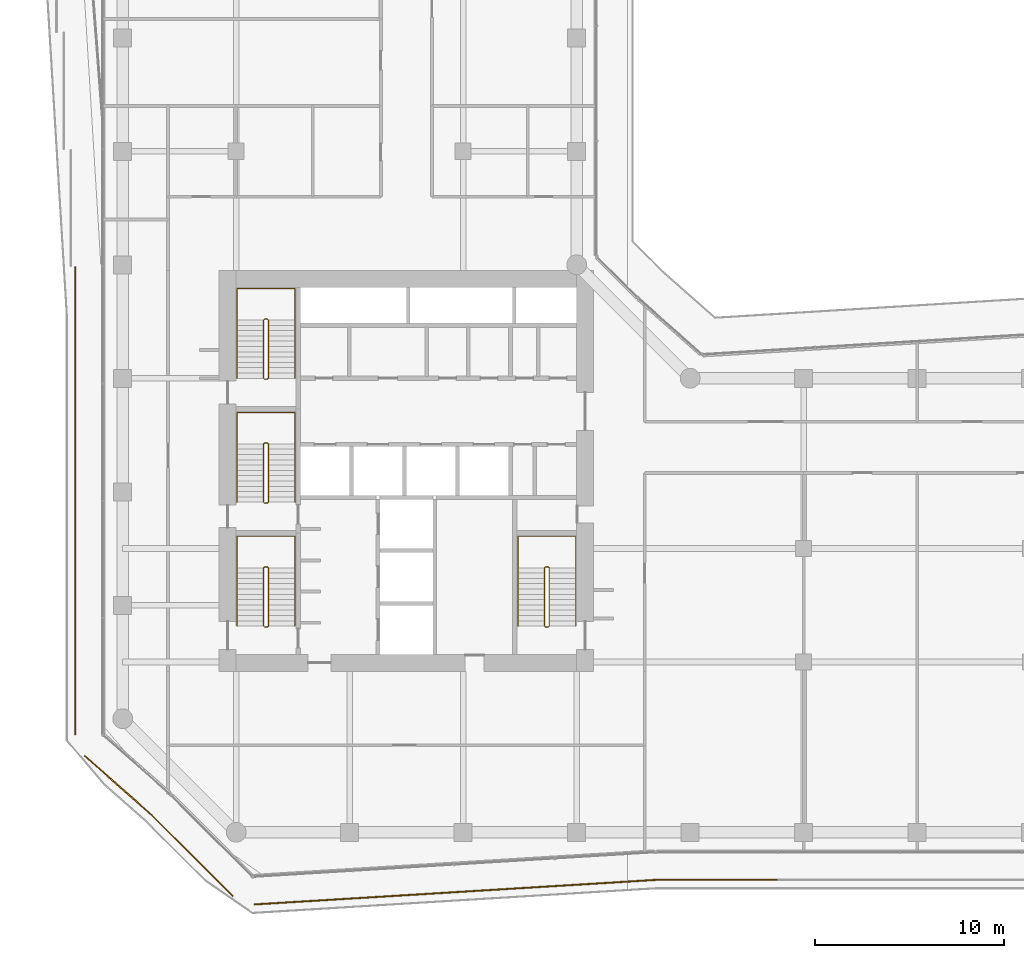
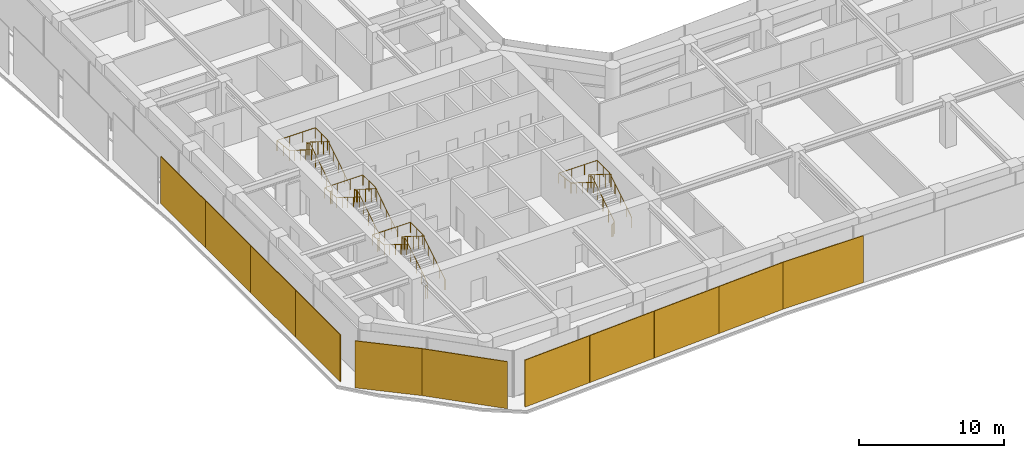
# One storey, part 28 of 29: 11 coverings, 8 railings.
"""IFC4 building model written with IfcOpenShell, lengths in metres."""

from ifc_helpers import new_model, si_unit, direction, frame, origin, origin_2d, place, context, subcontext, project, spatial, rectangle, circle, extrude, material, layer, layer_set, type_object, element, save


model = new_model("IFC4")

# Units and contexts
model_context = context("Model", 3, precision=1e-05, world=origin(), true_north=direction((0.0, 1.0)))
body_context = subcontext(model_context, "Body", "Model", "MODEL_VIEW")
ifc_project = project(units=[si_unit("LENGTHUNIT", "METRE"), si_unit("AREAUNIT", "SQUARE_METRE"), si_unit("VOLUMEUNIT", "CUBIC_METRE"), si_unit("PLANEANGLEUNIT", "RADIAN"), si_unit("MASSUNIT", "GRAM", prefix="KILO")], contexts=[model_context])

# Site, building, storey
site_placement = place(None, origin())
site = spatial("IfcSite", under=ifc_project, at=site_placement, CompositionType="ELEMENT")
building_placement = place(site_placement, origin())
building = spatial("IfcBuilding", under=site, at=building_placement, Name="Welwitschia Terrace Campus", CompositionType="ELEMENT")
storey_placement = place(building_placement, frame((0.0, 0.0, 66.800048828125)))
storey = spatial("IfcBuildingStorey", under=building, at=storey_placement, Name="L15", CompositionType="ELEMENT", Elevation=66.800048828125)

# Coverings
ifc_material_1 = material(Name="Bronze mesh aluminium screen", Category="aluminium")
ifc_layer = layer(ifc_material_1, 0.06005859375)
ifc_layer_set = layer_set([ifc_layer], Name="Bronze mesh aluminium screen")
covering_type = type_object("IfcCoveringType", Name="Bronze screen 60", PredefinedType="USERDEFINED", material=ifc_layer_set)
covering_1_placement = place(storey_placement, frame((-0.2333984375, -1.52734375, 0.0), z_axis=(0.0, 0.0, 1.0), x_axis=(0.748955720789, -0.662620048216, 0.0)))
element("IfcCovering", 1, at=covering_1_placement, inside=storey, type_object=covering_type, Name="Screen L15.0.0", ObjectType="SCREEN", PredefinedType="USERDEFINED", context=body_context, shape_type="SweptSolid", body=[
    extrude(rectangle(XDim=4.761962890625, YDim=0.06005859375, at=origin_2d()), origin(), (0.0, 0.0, 1.0), 3.949951171875),
])
covering_2_placement = place(storey_placement, frame((3.6630859375, -5.22119140625, 0.0), z_axis=(0.0, 0.0, 1.0), x_axis=(0.707106781187, -0.707106781187, 0.0)))
element("IfcCovering", 2, at=covering_2_placement, inside=storey, type_object=covering_type, Name="Screen L15.1.0", ObjectType="SCREEN", PredefinedType="USERDEFINED", context=body_context, shape_type="SweptSolid", body=[
    extrude(rectangle(XDim=6.119384765625, YDim=0.06005859375, at=origin_2d()), origin(), (0.0, 0.0, 1.0), 3.949951171875),
])
for number, where, z_axis, x_axis, name in (
    (3, (9.6162109375, -7.6533203125, 0.0), (0.0, 0.0, 1.0), (0.998134798422, 0.061048539535, 0.0), "Screen L15.2.0"),
    (4, (14.941162109375, -7.327392578125, 0.0), (0.0, 0.0, 1.0), (0.998134798422, 0.061048539535, 0.0), "Screen L15.2.1"),
    (5, (20.266357421875, -7.001708984375, 0.0), (0.0, 0.0, 1.0), (0.998134798422, 0.061048539535, 0.0), "Screen L15.2.2"),
    (6, (25.591552734375, -6.676025390625, 0.0), (0.0, 0.0, 1.0), (0.998134798422, 0.061048539535, 0.0), "Screen L15.2.3"),
):
    element("IfcCovering", number, at=place(storey_placement, frame(where, z_axis=z_axis, x_axis=x_axis)), inside=storey, type_object=covering_type, Name=name, ObjectType="SCREEN", PredefinedType="USERDEFINED", context=body_context, shape_type="SweptSolid", body=[
        extrude(rectangle(XDim=5.315185546875, YDim=0.06005859375, at=origin_2d()), origin(), (0.0, 0.0, 1.0), 3.949951171875),
    ])
covering_3_placement = place(storey_placement, frame((31.392333984375, -6.51611328125, 0.0), z_axis=(0.0, 0.0, 1.0), x_axis=(1.0, 0.0, 0.0)))
element("IfcCovering", 7, at=covering_3_placement, inside=storey, type_object=covering_type, Name="Screen L15.3.0", ObjectType="SCREEN", PredefinedType="USERDEFINED", context=body_context, shape_type="SweptSolid", body=[
    extrude(rectangle(XDim=6.4345703125, YDim=0.06005859375, at=origin_2d()), origin(), (0.0, 0.0, 1.0), 3.949951171875),
])
for number, where, z_axis, x_axis, name in (
    (8, (-2.51611328125, 22.817138671875, 0.0), (0.0, 0.0, 1.0), (0.0, -1.0, 0.0), "Screen L15.12.6"),
    (9, (-2.51611328125, 16.626220703125, 0.0), (0.0, 0.0, 1.0), (0.0, -1.0, 0.0), "Screen L15.12.7"),
    (10, (-2.51611328125, 10.435302734375, 0.0), (0.0, 0.0, 1.0), (0.0, -1.0, 0.0), "Screen L15.12.8"),
    (11, (-2.51611328125, 4.244384765625, 0.0), (0.0, 0.0, 1.0), (0.0, -1.0, 0.0), "Screen L15.12.9"),
):
    element("IfcCovering", number, at=place(storey_placement, frame(where, z_axis=z_axis, x_axis=x_axis)), inside=storey, type_object=covering_type, Name=name, ObjectType="SCREEN", PredefinedType="USERDEFINED", context=body_context, shape_type="SweptSolid", body=[
        extrude(rectangle(XDim=6.1708984375, YDim=0.06005859375, at=origin_2d()), origin(), (0.0, 0.0, 1.0), 3.949951171875),
    ])

# Railings
ifc_material_2 = material(Name="Steel S355", Category="steel")
railing_type_1 = type_object("IfcRailingType", Name="Stair guard 1100", PredefinedType="GUARDRAIL", material=ifc_material_2)
railing_1_placement = place(storey_placement, frame((7.5, 6.85009765625, 0.0)))
element("IfcRailing", 12, at=railing_1_placement, inside=storey, type_object=railing_type_1, Name="L15 S1 stair guard", PredefinedType="GUARDRAIL", context=body_context, shape_type="SweptSolid", body=[
    extrude(circle(Radius=0.02392578125, at=origin_2d()), frame((0.0, 0.0, 1.076171875), z_axis=(1.0, 0.0, 0.0), x_axis=(0.0, 1.0, 0.0)), (0.0, 0.0, 1.0), 0.14990234375),
    extrude(circle(Radius=0.02392578125, at=origin_2d()), frame((0.14990234375, 0.0, 1.076171875), z_axis=(0.265155923931, 0.263862480399, 0.927399011991), x_axis=(-0.705375805398, 0.708833529934, 0.0)), (0.0, 0.0, 1.0), 0.188720703125),
    extrude(circle(Radius=0.02392578125, at=origin_2d()), frame((0.199951171875, 0.0498046875, 1.2509765625), z_axis=(0.0, 0.848028513186, 0.529950602248), x_axis=(-1.0, 0.0, 0.0)), (0.0, 0.0, 1.0), 3.632080078125),
    extrude(circle(Radius=0.02392578125, at=origin_2d()), frame((0.199951171875, 3.1298828125, 3.17578125), z_axis=(-0.707106781187, 0.707106781187, 0.0), x_axis=(-0.707106781187, -0.707106781187, 0.0)), (0.0, 0.0, 1.0), 0.07080078125),
    extrude(circle(Radius=0.02392578125, at=origin_2d()), frame((0.14990234375, 3.179931640625, 3.17578125), z_axis=(-1.0, 0.0, 0.0), x_axis=(0.0, -1.0, 0.0)), (0.0, 0.0, 1.0), 0.14990234375),
    extrude(circle(Radius=0.02392578125, at=origin_2d()), frame((0.0, 3.179931640625, 3.17578125), z_axis=(-0.265065253269, -0.265065253269, 0.927081885822), x_axis=(0.707106781187, -0.707106781187, 0.0)), (0.0, 0.0, 1.0), 0.188720703125),
    extrude(circle(Radius=0.02392578125, at=origin_2d()), frame((-0.050048828125, 3.1298828125, 3.35107421875), z_axis=(0.0, -0.847998304005, 0.529998940003), x_axis=(1.0, 0.0, 0.0)), (0.0, 0.0, 1.0), 3.632080078125),
    extrude(circle(Radius=0.02099609375, at=origin_2d()), origin(), (0.0, 0.0, 1.0), 1.052001953125),
    extrude(circle(Radius=0.02099609375, at=origin_2d()), frame((0.14990234375, 0.0, 0.0)), (0.0, 0.0, 1.0), 1.052001953125),
    extrude(circle(Radius=0.02099609375, at=origin_2d()), frame((0.199951171875, 0.0498046875, 0.175048828125)), (0.0, 0.0, 1.0), 1.052001953125),
    extrude(circle(Radius=0.02099609375, at=origin_2d()), frame((0.199951171875, 0.81982421875, 0.65625)), (0.0, 0.0, 1.0), 1.052001953125),
    extrude(circle(Radius=0.02099609375, at=origin_2d()), frame((0.199951171875, 1.58984375, 1.137451171875)), (0.0, 0.0, 1.0), 1.052001953125),
    extrude(circle(Radius=0.02099609375, at=origin_2d()), frame((0.199951171875, 2.35986328125, 1.61865234375)), (0.0, 0.0, 1.0), 1.052001953125),
    extrude(circle(Radius=0.02099609375, at=origin_2d()), frame((0.199951171875, 3.1298828125, 2.099853515625)), (0.0, 0.0, 1.0), 1.052001953125),
    extrude(circle(Radius=0.02099609375, at=origin_2d()), frame((0.14990234375, 3.179931640625, 2.099853515625)), (0.0, 0.0, 1.0), 1.052001953125),
    extrude(circle(Radius=0.02099609375, at=origin_2d()), frame((0.0, 3.179931640625, 2.099853515625)), (0.0, 0.0, 1.0), 1.052001953125),
    extrude(circle(Radius=0.02099609375, at=origin_2d()), frame((-0.050048828125, 3.1298828125, 2.27490234375)), (0.0, 0.0, 1.0), 1.052001953125),
    extrude(circle(Radius=0.02099609375, at=origin_2d()), frame((-0.050048828125, 2.35986328125, 2.756103515625)), (0.0, 0.0, 1.0), 1.052001953125),
    extrude(circle(Radius=0.02099609375, at=origin_2d()), frame((-0.050048828125, 1.58984375, 3.2373046875)), (0.0, 0.0, 1.0), 1.052001953125),
    extrude(circle(Radius=0.02099609375, at=origin_2d()), frame((-0.050048828125, 0.81982421875, 3.71875)), (0.0, 0.0, 1.0), 1.052001953125),
    extrude(circle(Radius=0.02099609375, at=origin_2d()), frame((-0.050048828125, 0.0498046875, 4.199951171875)), (0.0, 0.0, 1.0), 1.052001953125),
])
railing_2_placement = place(storey_placement, frame((7.5, 13.39990234375, 0.0)))
element("IfcRailing", 13, at=railing_2_placement, inside=storey, type_object=railing_type_1, Name="L15 S3 stair guard", PredefinedType="GUARDRAIL", context=body_context, shape_type="SweptSolid", body=[
    extrude(circle(Radius=0.02392578125, at=origin_2d()), frame((0.0, 0.0, 1.076171875), z_axis=(1.0, 0.0, 0.0), x_axis=(0.0, 1.0, 0.0)), (0.0, 0.0, 1.0), 0.14990234375),
    extrude(circle(Radius=0.02392578125, at=origin_2d()), frame((0.14990234375, 0.0, 1.076171875), z_axis=(0.265065253269, 0.265065253269, 0.927081885822), x_axis=(-0.707106781187, 0.707106781187, 0.0)), (0.0, 0.0, 1.0), 0.188720703125),
    extrude(circle(Radius=0.02392578125, at=origin_2d()), frame((0.199951171875, 0.050048828125, 1.2509765625), z_axis=(0.0, 0.848028513186, 0.529950602248), x_axis=(-1.0, 0.0, 0.0)), (0.0, 0.0, 1.0), 3.632080078125),
    extrude(circle(Radius=0.02392578125, at=origin_2d()), frame((0.199951171875, 3.130126953125, 3.17578125), z_axis=(-0.707106781187, 0.707106781187, 0.0), x_axis=(-0.707106781187, -0.707106781187, 0.0)), (0.0, 0.0, 1.0), 0.07080078125),
    extrude(circle(Radius=0.02392578125, at=origin_2d()), frame((0.14990234375, 3.18017578125, 3.17578125), z_axis=(-1.0, 0.0, 0.0), x_axis=(0.0, -1.0, 0.0)), (0.0, 0.0, 1.0), 0.14990234375),
    extrude(circle(Radius=0.02392578125, at=origin_2d()), frame((0.0, 3.18017578125, 3.17578125), z_axis=(-0.265065253269, -0.265065253269, 0.927081885822), x_axis=(0.707106781187, -0.707106781187, 0.0)), (0.0, 0.0, 1.0), 0.188720703125),
    extrude(circle(Radius=0.02392578125, at=origin_2d()), frame((-0.050048828125, 3.130126953125, 3.35107421875), z_axis=(0.0, -0.847998304005, 0.529998940003), x_axis=(1.0, 0.0, 0.0)), (0.0, 0.0, 1.0), 3.632080078125),
    extrude(circle(Radius=0.02099609375, at=origin_2d()), origin(), (0.0, 0.0, 1.0), 1.052001953125),
    extrude(circle(Radius=0.02099609375, at=origin_2d()), frame((0.14990234375, 0.0, 0.0)), (0.0, 0.0, 1.0), 1.052001953125),
    extrude(circle(Radius=0.02099609375, at=origin_2d()), frame((0.199951171875, 0.050048828125, 0.175048828125)), (0.0, 0.0, 1.0), 1.052001953125),
    extrude(circle(Radius=0.02099609375, at=origin_2d()), frame((0.199951171875, 0.820068359375, 0.65625)), (0.0, 0.0, 1.0), 1.052001953125),
    extrude(circle(Radius=0.02099609375, at=origin_2d()), frame((0.199951171875, 1.590087890625, 1.137451171875)), (0.0, 0.0, 1.0), 1.052001953125),
    extrude(circle(Radius=0.02099609375, at=origin_2d()), frame((0.199951171875, 2.360107421875, 1.61865234375)), (0.0, 0.0, 1.0), 1.052001953125),
    extrude(circle(Radius=0.02099609375, at=origin_2d()), frame((0.199951171875, 3.130126953125, 2.099853515625)), (0.0, 0.0, 1.0), 1.052001953125),
    extrude(circle(Radius=0.02099609375, at=origin_2d()), frame((0.14990234375, 3.18017578125, 2.099853515625)), (0.0, 0.0, 1.0), 1.052001953125),
    extrude(circle(Radius=0.02099609375, at=origin_2d()), frame((0.0, 3.18017578125, 2.099853515625)), (0.0, 0.0, 1.0), 1.052001953125),
    extrude(circle(Radius=0.02099609375, at=origin_2d()), frame((-0.050048828125, 3.130126953125, 2.27490234375)), (0.0, 0.0, 1.0), 1.052001953125),
    extrude(circle(Radius=0.02099609375, at=origin_2d()), frame((-0.050048828125, 2.360107421875, 2.756103515625)), (0.0, 0.0, 1.0), 1.052001953125),
    extrude(circle(Radius=0.02099609375, at=origin_2d()), frame((-0.050048828125, 1.590087890625, 3.2373046875)), (0.0, 0.0, 1.0), 1.052001953125),
    extrude(circle(Radius=0.02099609375, at=origin_2d()), frame((-0.050048828125, 0.820068359375, 3.71875)), (0.0, 0.0, 1.0), 1.052001953125),
    extrude(circle(Radius=0.02099609375, at=origin_2d()), frame((-0.050048828125, 0.050048828125, 4.199951171875)), (0.0, 0.0, 1.0), 1.052001953125),
])
railing_3_placement = place(storey_placement, frame((7.5, 19.949951171875, 0.0)))
element("IfcRailing", 14, at=railing_3_placement, inside=storey, type_object=railing_type_1, Name="L15 S4 stair guard", PredefinedType="GUARDRAIL", context=body_context, shape_type="SweptSolid", body=[
    extrude(circle(Radius=0.02392578125, at=origin_2d()), frame((0.0, 0.0, 1.076171875), z_axis=(1.0, 0.0, 0.0), x_axis=(0.0, 1.0, 0.0)), (0.0, 0.0, 1.0), 0.14990234375),
    extrude(circle(Radius=0.02392578125, at=origin_2d()), frame((0.14990234375, 0.0, 1.076171875), z_axis=(0.265065253269, 0.265065253269, 0.927081885822), x_axis=(-0.707106781187, 0.707106781187, 0.0)), (0.0, 0.0, 1.0), 0.188720703125),
    extrude(circle(Radius=0.02392578125, at=origin_2d()), frame((0.199951171875, 0.050048828125, 1.2509765625), z_axis=(0.0, 0.848028513186, 0.529950602248), x_axis=(-1.0, 0.0, 0.0)), (0.0, 0.0, 1.0), 3.632080078125),
    extrude(circle(Radius=0.02392578125, at=origin_2d()), frame((0.199951171875, 3.130126953125, 3.17578125), z_axis=(-0.708833529934, 0.705375805398, 0.0), x_axis=(-0.705375805398, -0.708833529934, 0.0)), (0.0, 0.0, 1.0), 0.070556640625),
    extrude(circle(Radius=0.02392578125, at=origin_2d()), frame((0.14990234375, 3.179931640625, 3.17578125), z_axis=(-1.0, 0.0, 0.0), x_axis=(0.0, -1.0, 0.0)), (0.0, 0.0, 1.0), 0.14990234375),
    extrude(circle(Radius=0.02392578125, at=origin_2d()), frame((0.0, 3.179931640625, 3.17578125), z_axis=(-0.265155923931, -0.263862480399, 0.927399011991), x_axis=(0.705375805398, -0.708833529934, 0.0)), (0.0, 0.0, 1.0), 0.188720703125),
    extrude(circle(Radius=0.02392578125, at=origin_2d()), frame((-0.050048828125, 3.130126953125, 3.35107421875), z_axis=(0.0, -0.847998304005, 0.529998940003), x_axis=(1.0, 0.0, 0.0)), (0.0, 0.0, 1.0), 3.632080078125),
    extrude(circle(Radius=0.02099609375, at=origin_2d()), origin(), (0.0, 0.0, 1.0), 1.052001953125),
    extrude(circle(Radius=0.02099609375, at=origin_2d()), frame((0.14990234375, 0.0, 0.0)), (0.0, 0.0, 1.0), 1.052001953125),
    extrude(circle(Radius=0.02099609375, at=origin_2d()), frame((0.199951171875, 0.050048828125, 0.175048828125)), (0.0, 0.0, 1.0), 1.052001953125),
    extrude(circle(Radius=0.02099609375, at=origin_2d()), frame((0.199951171875, 0.820068359375, 0.65625)), (0.0, 0.0, 1.0), 1.052001953125),
    extrude(circle(Radius=0.02099609375, at=origin_2d()), frame((0.199951171875, 1.590087890625, 1.137451171875)), (0.0, 0.0, 1.0), 1.052001953125),
    extrude(circle(Radius=0.02099609375, at=origin_2d()), frame((0.199951171875, 2.360107421875, 1.61865234375)), (0.0, 0.0, 1.0), 1.052001953125),
    extrude(circle(Radius=0.02099609375, at=origin_2d()), frame((0.199951171875, 3.130126953125, 2.099853515625)), (0.0, 0.0, 1.0), 1.052001953125),
    extrude(circle(Radius=0.02099609375, at=origin_2d()), frame((0.14990234375, 3.179931640625, 2.099853515625)), (0.0, 0.0, 1.0), 1.052001953125),
    extrude(circle(Radius=0.02099609375, at=origin_2d()), frame((0.0, 3.179931640625, 2.099853515625)), (0.0, 0.0, 1.0), 1.052001953125),
    extrude(circle(Radius=0.02099609375, at=origin_2d()), frame((-0.050048828125, 3.130126953125, 2.27490234375)), (0.0, 0.0, 1.0), 1.052001953125),
    extrude(circle(Radius=0.02099609375, at=origin_2d()), frame((-0.050048828125, 2.360107421875, 2.756103515625)), (0.0, 0.0, 1.0), 1.052001953125),
    extrude(circle(Radius=0.02099609375, at=origin_2d()), frame((-0.050048828125, 1.590087890625, 3.2373046875)), (0.0, 0.0, 1.0), 1.052001953125),
    extrude(circle(Radius=0.02099609375, at=origin_2d()), frame((-0.050048828125, 0.820068359375, 3.71875)), (0.0, 0.0, 1.0), 1.052001953125),
    extrude(circle(Radius=0.02099609375, at=origin_2d()), frame((-0.050048828125, 0.050048828125, 4.199951171875)), (0.0, 0.0, 1.0), 1.052001953125),
])
railing_4_placement = place(storey_placement, frame((22.35009765625, 6.85009765625, 0.0)))
element("IfcRailing", 15, at=railing_4_placement, inside=storey, type_object=railing_type_1, Name="L15 S2 stair guard", PredefinedType="GUARDRAIL", context=body_context, shape_type="SweptSolid", body=[
    extrude(circle(Radius=0.02392578125, at=origin_2d()), frame((0.0, 0.0, 1.076171875), z_axis=(1.0, 0.0, 0.0), x_axis=(0.0, 1.0, 0.0)), (0.0, 0.0, 1.0), 0.14990234375),
    extrude(circle(Radius=0.02392578125, at=origin_2d()), frame((0.14990234375, 0.0, 1.076171875), z_axis=(0.265155923931, 0.263862480399, 0.927399011991), x_axis=(-0.705375805398, 0.708833529934, 0.0)), (0.0, 0.0, 1.0), 0.188720703125),
    extrude(circle(Radius=0.02392578125, at=origin_2d()), frame((0.199951171875, 0.0498046875, 1.2509765625), z_axis=(0.0, 0.848028513186, 0.529950602248), x_axis=(-1.0, 0.0, 0.0)), (0.0, 0.0, 1.0), 3.632080078125),
    extrude(circle(Radius=0.02392578125, at=origin_2d()), frame((0.199951171875, 3.1298828125, 3.17578125), z_axis=(-0.707106781187, 0.707106781187, 0.0), x_axis=(-0.707106781187, -0.707106781187, 0.0)), (0.0, 0.0, 1.0), 0.07080078125),
    extrude(circle(Radius=0.02392578125, at=origin_2d()), frame((0.14990234375, 3.179931640625, 3.17578125), z_axis=(-1.0, 0.0, 0.0), x_axis=(0.0, -1.0, 0.0)), (0.0, 0.0, 1.0), 0.14990234375),
    extrude(circle(Radius=0.02392578125, at=origin_2d()), frame((0.0, 3.179931640625, 3.17578125), z_axis=(-0.265065253269, -0.265065253269, 0.927081885822), x_axis=(0.707106781187, -0.707106781187, 0.0)), (0.0, 0.0, 1.0), 0.188720703125),
    extrude(circle(Radius=0.02392578125, at=origin_2d()), frame((-0.050048828125, 3.1298828125, 3.35107421875), z_axis=(0.0, -0.847998304005, 0.529998940003), x_axis=(1.0, 0.0, 0.0)), (0.0, 0.0, 1.0), 3.632080078125),
    extrude(circle(Radius=0.02099609375, at=origin_2d()), origin(), (0.0, 0.0, 1.0), 1.052001953125),
    extrude(circle(Radius=0.02099609375, at=origin_2d()), frame((0.14990234375, 0.0, 0.0)), (0.0, 0.0, 1.0), 1.052001953125),
    extrude(circle(Radius=0.02099609375, at=origin_2d()), frame((0.199951171875, 0.0498046875, 0.175048828125)), (0.0, 0.0, 1.0), 1.052001953125),
    extrude(circle(Radius=0.02099609375, at=origin_2d()), frame((0.199951171875, 0.81982421875, 0.65625)), (0.0, 0.0, 1.0), 1.052001953125),
    extrude(circle(Radius=0.02099609375, at=origin_2d()), frame((0.199951171875, 1.58984375, 1.137451171875)), (0.0, 0.0, 1.0), 1.052001953125),
    extrude(circle(Radius=0.02099609375, at=origin_2d()), frame((0.199951171875, 2.35986328125, 1.61865234375)), (0.0, 0.0, 1.0), 1.052001953125),
    extrude(circle(Radius=0.02099609375, at=origin_2d()), frame((0.199951171875, 3.1298828125, 2.099853515625)), (0.0, 0.0, 1.0), 1.052001953125),
    extrude(circle(Radius=0.02099609375, at=origin_2d()), frame((0.14990234375, 3.179931640625, 2.099853515625)), (0.0, 0.0, 1.0), 1.052001953125),
    extrude(circle(Radius=0.02099609375, at=origin_2d()), frame((0.0, 3.179931640625, 2.099853515625)), (0.0, 0.0, 1.0), 1.052001953125),
    extrude(circle(Radius=0.02099609375, at=origin_2d()), frame((-0.050048828125, 3.1298828125, 2.27490234375)), (0.0, 0.0, 1.0), 1.052001953125),
    extrude(circle(Radius=0.02099609375, at=origin_2d()), frame((-0.050048828125, 2.35986328125, 2.756103515625)), (0.0, 0.0, 1.0), 1.052001953125),
    extrude(circle(Radius=0.02099609375, at=origin_2d()), frame((-0.050048828125, 1.58984375, 3.2373046875)), (0.0, 0.0, 1.0), 1.052001953125),
    extrude(circle(Radius=0.02099609375, at=origin_2d()), frame((-0.050048828125, 0.81982421875, 3.71875)), (0.0, 0.0, 1.0), 1.052001953125),
    extrude(circle(Radius=0.02099609375, at=origin_2d()), frame((-0.050048828125, 0.0498046875, 4.199951171875)), (0.0, 0.0, 1.0), 1.052001953125),
])
ifc_material_3 = material(Name="Steel S355", Category="steel")
railing_type_2 = type_object("IfcRailingType", Name="Stair handrail 900", PredefinedType="HANDRAIL", material=ifc_material_3)
railing_5_placement = place(storey_placement, frame((9.10009765625, 6.89990234375, 0.175048828125)))
element("IfcRailing", 16, at=railing_5_placement, inside=storey, type_object=railing_type_2, Name="L15 S1 stair handrail", PredefinedType="HANDRAIL", context=body_context, shape_type="SweptSolid", body=[
    extrude(circle(Radius=0.02392578125, at=origin_2d()), frame((0.0, 0.0, 0.8759765625), z_axis=(0.0, 0.848028513186, 0.529950602248), x_axis=(-1.0, 0.0, 0.0)), (0.0, 0.0, 1.0), 3.632080078125),
    extrude(circle(Radius=0.02392578125, at=origin_2d()), frame((0.0, 3.080078125, 2.80078125), z_axis=(0.0, 1.0, 0.0), x_axis=(-1.0, 0.0, 0.0)), (0.0, 0.0, 1.0), 1.669921875),
    extrude(circle(Radius=0.02392578125, at=origin_2d()), frame((0.0, 4.75, 2.80078125), z_axis=(-1.0, 0.0, 0.0), x_axis=(0.0, -1.0, 0.0)), (0.0, 0.0, 1.0), 3.050048828125),
    extrude(circle(Radius=0.02392578125, at=origin_2d()), frame((-3.050048828125, 4.75, 2.80078125), z_axis=(0.0, -0.99455077262, 0.104253348533), x_axis=(1.0, 0.0, 0.0)), (0.0, 0.0, 1.0), 1.678955078125),
    extrude(circle(Radius=0.02392578125, at=origin_2d()), frame((-3.050048828125, 3.080078125, 2.9755859375), z_axis=(0.0, -0.847998304005, 0.529998940003), x_axis=(1.0, 0.0, 0.0)), (0.0, 0.0, 1.0), 3.632080078125),
    extrude(circle(Radius=0.02099609375, at=origin_2d()), origin(), (0.0, 0.0, 1.0), 0.851806640625),
    extrude(circle(Radius=0.02099609375, at=origin_2d()), frame((0.0, 0.77001953125, 0.481201171875)), (0.0, 0.0, 1.0), 0.851806640625),
    extrude(circle(Radius=0.02099609375, at=origin_2d()), frame((0.0, 1.5400390625, 0.96240234375)), (0.0, 0.0, 1.0), 0.851806640625),
    extrude(circle(Radius=0.02099609375, at=origin_2d()), frame((0.0, 2.31005859375, 1.443603515625)), (0.0, 0.0, 1.0), 0.851806640625),
    extrude(circle(Radius=0.02099609375, at=origin_2d()), frame((0.0, 3.080078125, 1.9248046875)), (0.0, 0.0, 1.0), 0.851806640625),
    extrude(circle(Radius=0.02099609375, at=origin_2d()), frame((0.0, 3.9150390625, 1.9248046875)), (0.0, 0.0, 1.0), 0.851806640625),
    extrude(circle(Radius=0.02099609375, at=origin_2d()), frame((0.0, 4.75, 1.9248046875)), (0.0, 0.0, 1.0), 0.851806640625),
    extrude(circle(Radius=0.02099609375, at=origin_2d()), frame((-1.0166015625, 4.75, 1.9248046875)), (0.0, 0.0, 1.0), 0.851806640625),
    extrude(circle(Radius=0.02099609375, at=origin_2d()), frame((-2.033447265625, 4.75, 1.9248046875)), (0.0, 0.0, 1.0), 0.851806640625),
    extrude(circle(Radius=0.02099609375, at=origin_2d()), frame((-3.050048828125, 4.75, 1.9248046875)), (0.0, 0.0, 1.0), 0.851806640625),
    extrude(circle(Radius=0.02099609375, at=origin_2d()), frame((-3.050048828125, 3.9150390625, 2.01220703125)), (0.0, 0.0, 1.0), 0.851806640625),
    extrude(circle(Radius=0.02099609375, at=origin_2d()), frame((-3.050048828125, 3.080078125, 2.099853515625)), (0.0, 0.0, 1.0), 0.851806640625),
    extrude(circle(Radius=0.02099609375, at=origin_2d()), frame((-3.050048828125, 2.31005859375, 2.5810546875)), (0.0, 0.0, 1.0), 0.851806640625),
    extrude(circle(Radius=0.02099609375, at=origin_2d()), frame((-3.050048828125, 1.5400390625, 3.0625)), (0.0, 0.0, 1.0), 0.851806640625),
    extrude(circle(Radius=0.02099609375, at=origin_2d()), frame((-3.050048828125, 0.77001953125, 3.543701171875)), (0.0, 0.0, 1.0), 0.851806640625),
    extrude(circle(Radius=0.02099609375, at=origin_2d()), frame((-3.050048828125, 0.0, 4.02490234375)), (0.0, 0.0, 1.0), 0.851806640625),
])
railing_6_placement = place(storey_placement, frame((9.10009765625, 13.449951171875, 0.175048828125)))
element("IfcRailing", 17, at=railing_6_placement, inside=storey, type_object=railing_type_2, Name="L15 S3 stair handrail", PredefinedType="HANDRAIL", context=body_context, shape_type="SweptSolid", body=[
    extrude(circle(Radius=0.02392578125, at=origin_2d()), frame((0.0, 0.0, 0.8759765625), z_axis=(0.0, 0.848028513186, 0.529950602248), x_axis=(-1.0, 0.0, 0.0)), (0.0, 0.0, 1.0), 3.632080078125),
    extrude(circle(Radius=0.02392578125, at=origin_2d()), frame((0.0, 3.080078125, 2.80078125), z_axis=(0.0, 1.0, 0.0), x_axis=(-1.0, 0.0, 0.0)), (0.0, 0.0, 1.0), 1.669921875),
    extrude(circle(Radius=0.02392578125, at=origin_2d()), frame((0.0, 4.75, 2.80078125), z_axis=(-1.0, 0.0, 0.0), x_axis=(0.0, -1.0, 0.0)), (0.0, 0.0, 1.0), 3.050048828125),
    extrude(circle(Radius=0.02392578125, at=origin_2d()), frame((-3.050048828125, 4.75, 2.80078125), z_axis=(0.0, -0.99455077262, 0.104253348533), x_axis=(1.0, 0.0, 0.0)), (0.0, 0.0, 1.0), 1.678955078125),
    extrude(circle(Radius=0.02392578125, at=origin_2d()), frame((-3.050048828125, 3.080078125, 2.9755859375), z_axis=(0.0, -0.847998304005, 0.529998940003), x_axis=(1.0, 0.0, 0.0)), (0.0, 0.0, 1.0), 3.632080078125),
    extrude(circle(Radius=0.02099609375, at=origin_2d()), origin(), (0.0, 0.0, 1.0), 0.851806640625),
    extrude(circle(Radius=0.02099609375, at=origin_2d()), frame((0.0, 0.77001953125, 0.481201171875)), (0.0, 0.0, 1.0), 0.851806640625),
    extrude(circle(Radius=0.02099609375, at=origin_2d()), frame((0.0, 1.5400390625, 0.96240234375)), (0.0, 0.0, 1.0), 0.851806640625),
    extrude(circle(Radius=0.02099609375, at=origin_2d()), frame((0.0, 2.31005859375, 1.443603515625)), (0.0, 0.0, 1.0), 0.851806640625),
    extrude(circle(Radius=0.02099609375, at=origin_2d()), frame((0.0, 3.080078125, 1.9248046875)), (0.0, 0.0, 1.0), 0.851806640625),
    extrude(circle(Radius=0.02099609375, at=origin_2d()), frame((0.0, 3.9150390625, 1.9248046875)), (0.0, 0.0, 1.0), 0.851806640625),
    extrude(circle(Radius=0.02099609375, at=origin_2d()), frame((0.0, 4.75, 1.9248046875)), (0.0, 0.0, 1.0), 0.851806640625),
    extrude(circle(Radius=0.02099609375, at=origin_2d()), frame((-1.0166015625, 4.75, 1.9248046875)), (0.0, 0.0, 1.0), 0.851806640625),
    extrude(circle(Radius=0.02099609375, at=origin_2d()), frame((-2.033447265625, 4.75, 1.9248046875)), (0.0, 0.0, 1.0), 0.851806640625),
    extrude(circle(Radius=0.02099609375, at=origin_2d()), frame((-3.050048828125, 4.75, 1.9248046875)), (0.0, 0.0, 1.0), 0.851806640625),
    extrude(circle(Radius=0.02099609375, at=origin_2d()), frame((-3.050048828125, 3.9150390625, 2.01220703125)), (0.0, 0.0, 1.0), 0.851806640625),
    extrude(circle(Radius=0.02099609375, at=origin_2d()), frame((-3.050048828125, 3.080078125, 2.099853515625)), (0.0, 0.0, 1.0), 0.851806640625),
    extrude(circle(Radius=0.02099609375, at=origin_2d()), frame((-3.050048828125, 2.31005859375, 2.5810546875)), (0.0, 0.0, 1.0), 0.851806640625),
    extrude(circle(Radius=0.02099609375, at=origin_2d()), frame((-3.050048828125, 1.5400390625, 3.0625)), (0.0, 0.0, 1.0), 0.851806640625),
    extrude(circle(Radius=0.02099609375, at=origin_2d()), frame((-3.050048828125, 0.77001953125, 3.543701171875)), (0.0, 0.0, 1.0), 0.851806640625),
    extrude(circle(Radius=0.02099609375, at=origin_2d()), frame((-3.050048828125, 0.0, 4.02490234375)), (0.0, 0.0, 1.0), 0.851806640625),
])
railing_7_placement = place(storey_placement, frame((9.10009765625, 20.0, 0.175048828125)))
element("IfcRailing", 18, at=railing_7_placement, inside=storey, type_object=railing_type_2, Name="L15 S4 stair handrail", PredefinedType="HANDRAIL", context=body_context, shape_type="SweptSolid", body=[
    extrude(circle(Radius=0.02392578125, at=origin_2d()), frame((0.0, 0.0, 0.8759765625), z_axis=(0.0, 0.848028513186, 0.529950602248), x_axis=(-1.0, 0.0, 0.0)), (0.0, 0.0, 1.0), 3.632080078125),
    extrude(circle(Radius=0.02392578125, at=origin_2d()), frame((0.0, 3.080078125, 2.80078125), z_axis=(0.0, 1.0, 0.0), x_axis=(-1.0, 0.0, 0.0)), (0.0, 0.0, 1.0), 1.669921875),
    extrude(circle(Radius=0.02392578125, at=origin_2d()), frame((0.0, 4.75, 2.80078125), z_axis=(-1.0, 0.0, 0.0), x_axis=(0.0, -1.0, 0.0)), (0.0, 0.0, 1.0), 3.050048828125),
    extrude(circle(Radius=0.02392578125, at=origin_2d()), frame((-3.050048828125, 4.75, 2.80078125), z_axis=(0.0, -0.99455077262, 0.104253348533), x_axis=(1.0, 0.0, 0.0)), (0.0, 0.0, 1.0), 1.678955078125),
    extrude(circle(Radius=0.02392578125, at=origin_2d()), frame((-3.050048828125, 3.080078125, 2.9755859375), z_axis=(0.0, -0.847998304005, 0.529998940003), x_axis=(1.0, 0.0, 0.0)), (0.0, 0.0, 1.0), 3.632080078125),
    extrude(circle(Radius=0.02099609375, at=origin_2d()), origin(), (0.0, 0.0, 1.0), 0.851806640625),
    extrude(circle(Radius=0.02099609375, at=origin_2d()), frame((0.0, 0.77001953125, 0.481201171875)), (0.0, 0.0, 1.0), 0.851806640625),
    extrude(circle(Radius=0.02099609375, at=origin_2d()), frame((0.0, 1.5400390625, 0.96240234375)), (0.0, 0.0, 1.0), 0.851806640625),
    extrude(circle(Radius=0.02099609375, at=origin_2d()), frame((0.0, 2.31005859375, 1.443603515625)), (0.0, 0.0, 1.0), 0.851806640625),
    extrude(circle(Radius=0.02099609375, at=origin_2d()), frame((0.0, 3.080078125, 1.9248046875)), (0.0, 0.0, 1.0), 0.851806640625),
    extrude(circle(Radius=0.02099609375, at=origin_2d()), frame((0.0, 3.9150390625, 1.9248046875)), (0.0, 0.0, 1.0), 0.851806640625),
    extrude(circle(Radius=0.02099609375, at=origin_2d()), frame((0.0, 4.75, 1.9248046875)), (0.0, 0.0, 1.0), 0.851806640625),
    extrude(circle(Radius=0.02099609375, at=origin_2d()), frame((-1.0166015625, 4.75, 1.9248046875)), (0.0, 0.0, 1.0), 0.851806640625),
    extrude(circle(Radius=0.02099609375, at=origin_2d()), frame((-2.033447265625, 4.75, 1.9248046875)), (0.0, 0.0, 1.0), 0.851806640625),
    extrude(circle(Radius=0.02099609375, at=origin_2d()), frame((-3.050048828125, 4.75, 1.9248046875)), (0.0, 0.0, 1.0), 0.851806640625),
    extrude(circle(Radius=0.02099609375, at=origin_2d()), frame((-3.050048828125, 3.9150390625, 2.01220703125)), (0.0, 0.0, 1.0), 0.851806640625),
    extrude(circle(Radius=0.02099609375, at=origin_2d()), frame((-3.050048828125, 3.080078125, 2.099853515625)), (0.0, 0.0, 1.0), 0.851806640625),
    extrude(circle(Radius=0.02099609375, at=origin_2d()), frame((-3.050048828125, 2.31005859375, 2.5810546875)), (0.0, 0.0, 1.0), 0.851806640625),
    extrude(circle(Radius=0.02099609375, at=origin_2d()), frame((-3.050048828125, 1.5400390625, 3.0625)), (0.0, 0.0, 1.0), 0.851806640625),
    extrude(circle(Radius=0.02099609375, at=origin_2d()), frame((-3.050048828125, 0.77001953125, 3.543701171875)), (0.0, 0.0, 1.0), 0.851806640625),
    extrude(circle(Radius=0.02099609375, at=origin_2d()), frame((-3.050048828125, 0.0, 4.02490234375)), (0.0, 0.0, 1.0), 0.851806640625),
])
railing_8_placement = place(storey_placement, frame((23.949951171875, 6.89990234375, 0.175048828125)))
element("IfcRailing", 19, at=railing_8_placement, inside=storey, type_object=railing_type_2, Name="L15 S2 stair handrail", PredefinedType="HANDRAIL", context=body_context, shape_type="SweptSolid", body=[
    extrude(circle(Radius=0.02392578125, at=origin_2d()), frame((0.0, 0.0, 0.8759765625), z_axis=(0.0, 0.848028513186, 0.529950602248), x_axis=(-1.0, 0.0, 0.0)), (0.0, 0.0, 1.0), 3.632080078125),
    extrude(circle(Radius=0.02392578125, at=origin_2d()), frame((0.0, 3.080078125, 2.80078125), z_axis=(0.0, 1.0, 0.0), x_axis=(-1.0, 0.0, 0.0)), (0.0, 0.0, 1.0), 1.669921875),
    extrude(circle(Radius=0.02392578125, at=origin_2d()), frame((0.0, 4.75, 2.80078125), z_axis=(-1.0, 0.0, 0.0), x_axis=(0.0, -1.0, 0.0)), (0.0, 0.0, 1.0), 3.050048828125),
    extrude(circle(Radius=0.02392578125, at=origin_2d()), frame((-3.050048828125, 4.75, 2.80078125), z_axis=(0.0, -0.99455077262, 0.104253348533), x_axis=(1.0, 0.0, 0.0)), (0.0, 0.0, 1.0), 1.678955078125),
    extrude(circle(Radius=0.02392578125, at=origin_2d()), frame((-3.050048828125, 3.080078125, 2.9755859375), z_axis=(0.0, -0.847998304005, 0.529998940003), x_axis=(1.0, 0.0, 0.0)), (0.0, 0.0, 1.0), 3.632080078125),
    extrude(circle(Radius=0.02099609375, at=origin_2d()), origin(), (0.0, 0.0, 1.0), 0.851806640625),
    extrude(circle(Radius=0.02099609375, at=origin_2d()), frame((0.0, 0.77001953125, 0.481201171875)), (0.0, 0.0, 1.0), 0.851806640625),
    extrude(circle(Radius=0.02099609375, at=origin_2d()), frame((0.0, 1.5400390625, 0.96240234375)), (0.0, 0.0, 1.0), 0.851806640625),
    extrude(circle(Radius=0.02099609375, at=origin_2d()), frame((0.0, 2.31005859375, 1.443603515625)), (0.0, 0.0, 1.0), 0.851806640625),
    extrude(circle(Radius=0.02099609375, at=origin_2d()), frame((0.0, 3.080078125, 1.9248046875)), (0.0, 0.0, 1.0), 0.851806640625),
    extrude(circle(Radius=0.02099609375, at=origin_2d()), frame((0.0, 3.9150390625, 1.9248046875)), (0.0, 0.0, 1.0), 0.851806640625),
    extrude(circle(Radius=0.02099609375, at=origin_2d()), frame((0.0, 4.75, 1.9248046875)), (0.0, 0.0, 1.0), 0.851806640625),
    extrude(circle(Radius=0.02099609375, at=origin_2d()), frame((-1.0166015625, 4.75, 1.9248046875)), (0.0, 0.0, 1.0), 0.851806640625),
    extrude(circle(Radius=0.02099609375, at=origin_2d()), frame((-2.033447265625, 4.75, 1.9248046875)), (0.0, 0.0, 1.0), 0.851806640625),
    extrude(circle(Radius=0.02099609375, at=origin_2d()), frame((-3.050048828125, 4.75, 1.9248046875)), (0.0, 0.0, 1.0), 0.851806640625),
    extrude(circle(Radius=0.02099609375, at=origin_2d()), frame((-3.050048828125, 3.9150390625, 2.01220703125)), (0.0, 0.0, 1.0), 0.851806640625),
    extrude(circle(Radius=0.02099609375, at=origin_2d()), frame((-3.050048828125, 3.080078125, 2.099853515625)), (0.0, 0.0, 1.0), 0.851806640625),
    extrude(circle(Radius=0.02099609375, at=origin_2d()), frame((-3.050048828125, 2.31005859375, 2.5810546875)), (0.0, 0.0, 1.0), 0.851806640625),
    extrude(circle(Radius=0.02099609375, at=origin_2d()), frame((-3.050048828125, 1.5400390625, 3.0625)), (0.0, 0.0, 1.0), 0.851806640625),
    extrude(circle(Radius=0.02099609375, at=origin_2d()), frame((-3.050048828125, 0.77001953125, 3.543701171875)), (0.0, 0.0, 1.0), 0.851806640625),
    extrude(circle(Radius=0.02099609375, at=origin_2d()), frame((-3.050048828125, 0.0, 4.02490234375)), (0.0, 0.0, 1.0), 0.851806640625),
])

save(model, "model.ifc")
